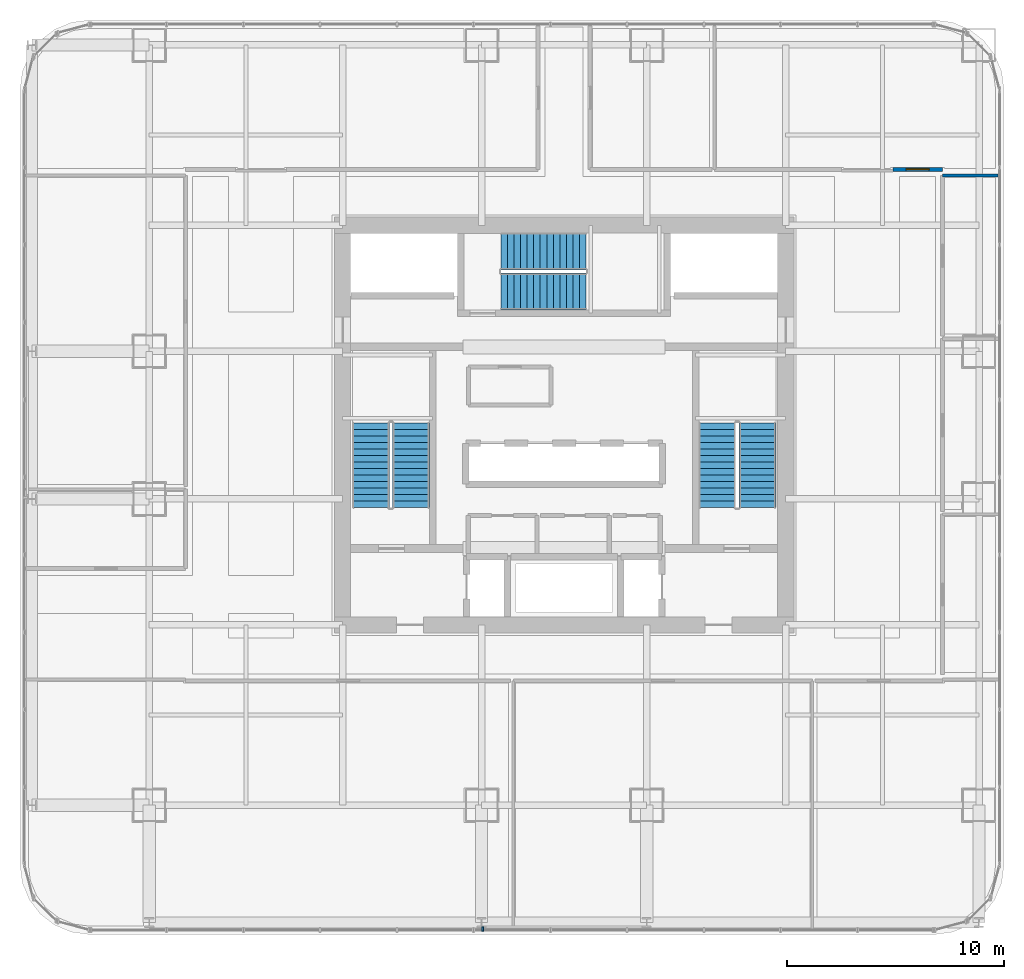
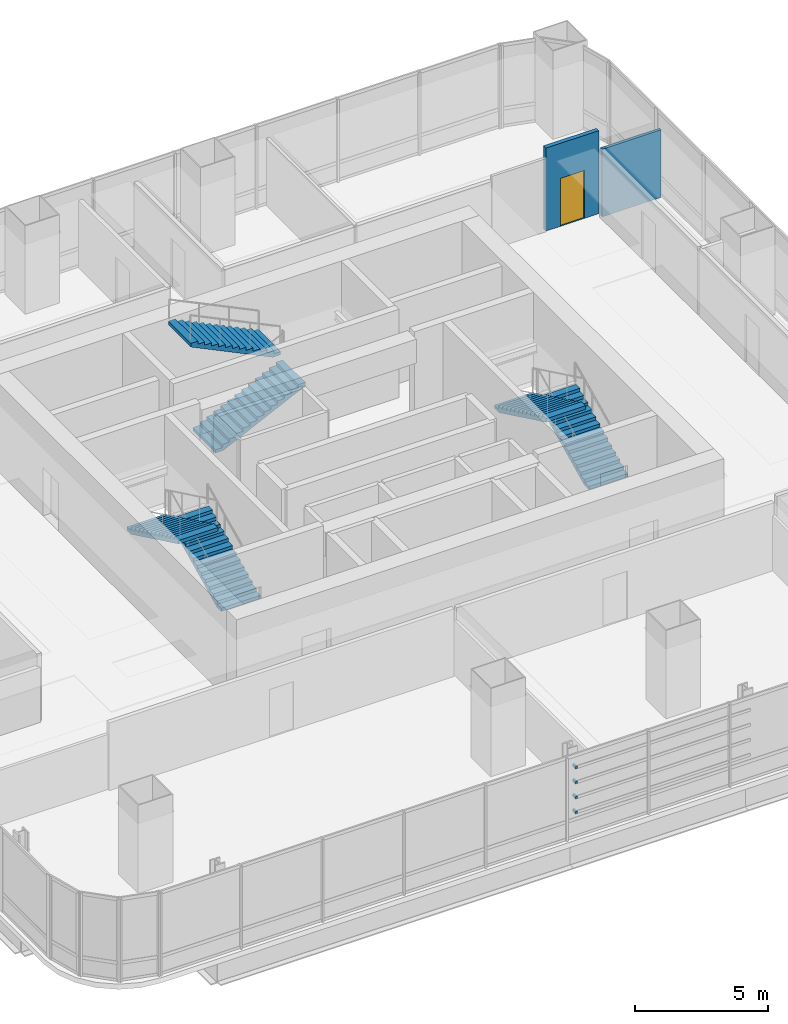
# One storey, part 30 of 36: 6 stair flights, 4 discrete accessories, 2 walls, 1 door, 1 opening, 3 elements without a shape of their own.
"""IFC4 building model written with IfcOpenShell, lengths in metres."""

from ifc_helpers import new_model, si_unit, direction, frame, frame_2d, origin, origin_2d, place, context, subcontext, project, spatial, polyline, rectangle, outline, extrude, material, layer, layer_set, type_object, element, fill, aggregate, save


model = new_model("IFC4")

# Units and contexts
model_context = context("Model", 3, precision=1e-05, world=origin(), true_north=direction((0.0, 1.0)))
body_context = subcontext(model_context, "Body", "Model", "MODEL_VIEW")
ifc_project = project(units=[si_unit("LENGTHUNIT", "METRE"), si_unit("AREAUNIT", "SQUARE_METRE"), si_unit("VOLUMEUNIT", "CUBIC_METRE"), si_unit("PLANEANGLEUNIT", "RADIAN"), si_unit("MASSUNIT", "GRAM", prefix="KILO")], contexts=[model_context])

# Site, building, storey
site_placement = place(None, origin())
site = spatial("IfcSite", under=ifc_project, at=site_placement, CompositionType="ELEMENT")
building_placement = place(site_placement, origin())
building = spatial("IfcBuilding", under=site, at=building_placement, Name="Punatoya Terracotta Tower", CompositionType="ELEMENT")
storey_placement = place(building_placement, frame((0.0, 0.0, 40.35009765625)))
storey = spatial("IfcBuildingStorey", under=building, at=storey_placement, Name="L08", CompositionType="ELEMENT", Elevation=40.35009765625)

# Wall, opening, door
ifc_material_1 = material(Name="Gypsum Fireboard + Steel Stud", Category="steel")
ifc_layer_1 = layer(ifc_material_1, 0.179931640625)
ifc_layer_set_1 = layer_set([ifc_layer_1], Name="Gypsum Fireboard + Steel Stud")
wall_type_1 = type_object("IfcWallType", Name="WL-CORR-180", PredefinedType="PARTITIONING", material=ifc_layer_set_1)
wall_1_placement = place(storey_placement, frame((17.419921875, 11.77001953125, 0.0), z_axis=(0.0, 0.0, 1.0), x_axis=(-1.0, 0.0, 0.0)))
wall_1 = element("IfcWall", 1, at=wall_1_placement, inside=storey, type_object=wall_type_1, Name="L08 Open-Plan Regional Operations Office Partition 34", PredefinedType="PARTITIONING", context=body_context, shape_type="SweptSolid", body=[
    extrude(rectangle(XDim=2.2900390625, YDim=0.179931640625, at=frame_2d((1.14501953125, 0.0))), origin(), (0.0, 0.0, 1.0), 3.809814453125),
])
opening_placement = place(wall_1_placement, frame((0.6201171875, 0.0, 0.0)))
opening = element("IfcOpeningElement", 2, at=opening_placement, cuts=wall_1, Name="Opening OD-01", PredefinedType="OPENING", context=body_context, shape_type="SweptSolid", body=[
    extrude(rectangle(XDim=1.050048828125, YDim=2.199951171875, at=frame_2d((0.52490234375, 1.10009765625))), frame((0.0, 0.099853515625, 0.0), z_axis=(0.0, -1.0, 0.0), x_axis=(1.0, 0.0, 0.0)), (0.0, 0.0, 1.0), 0.199951171875),
])
ifc_material_2 = material(Name="Bengal Teak Solid-Core Leaf")
door_type = type_object("IfcDoorType", Name="DR-OFF-1050", OperationType="NOTDEFINED", PredefinedType="DOOR", material=ifc_material_2)
door_placement = place(opening_placement, origin())
door = element("IfcDoor", 3, at=door_placement, inside=storey, type_object=door_type, Name="L08 Open-Plan Regional Operations Office Door", OperationType="SINGLE_SWING_LEFT", OverallHeight=2.199951171875, OverallWidth=1.050048828125, PredefinedType="DOOR", context=body_context, shape_type="SweptSolid", body=[
    extrude(rectangle(XDim=1.050048828125, YDim=2.199951171875, at=frame_2d((0.52490234375, 1.10009765625))), frame((0.0, 0.02490234375, 0.0), z_axis=(0.0, -1.0, 0.0), x_axis=(1.0, 0.0, 0.0)), (0.0, 0.0, 1.0), 0.050048828125),
])
fill(opening, door)

# Wall
ifc_material_3 = material(Name="Gypsum Partition + Steel Stud", Category="steel")
ifc_layer_2 = layer(ifc_material_3, 0.1201171875)
ifc_layer_set_2 = layer_set([ifc_layer_2], Name="Gypsum Partition + Steel Stud")
wall_type_2 = type_object("IfcWallType", Name="WL-OFF-120", PredefinedType="PARTITIONING", material=ifc_layer_set_2)
wall_2_placement = place(storey_placement, frame((17.419921875, 11.489990234375, 0.0), z_axis=(0.0, 0.0, 1.0), x_axis=(1.0, 0.0, 0.0)))
element("IfcWall", 4, at=wall_2_placement, inside=storey, type_object=wall_type_2, Name="L08 Systems Engineering Office Partition 28", PredefinedType="PARTITIONING", context=body_context, shape_type="SweptSolid", body=[
    extrude(rectangle(XDim=2.550048828125, YDim=0.1201171875, at=frame_2d((1.27490234375, 0.0))), origin(), (0.0, 0.0, 1.0), 3.10400390625),
])

# Stair, stair flights
ifc_material_4 = material(Name="Concrete C40/50", Category="concrete")
stair_type_1 = type_object("IfcStairType", Name="STR-CORE-1550", PredefinedType="HALF_TURN_STAIR", material=ifc_material_4)
stair_1_placement = place(storey_placement, origin())
stair_1 = element("IfcStair", 5, at=stair_1_placement, inside=storey, type_object=stair_type_1, Name="L08 Protected Core Exit Stair ST-1", PredefinedType="HALF_TURN_STAIR")
stair_flight_type_1 = type_object("IfcStairFlightType", Name="SFL-CORE-1550", PredefinedType="STRAIGHT", material=ifc_material_4)
stair_flight_1_placement = place(storey_placement, frame((-7.050048828125, -3.800048828125, 0.0), z_axis=(0.0, 0.0, 1.0), x_axis=(0.0, 1.0, 0.0)))
stair_flight_1 = element("IfcStairFlight", 6, at=stair_flight_1_placement, type_object=stair_flight_type_1, Name="ST-1 flight 1", NumberOfRisers=14, NumberOfTreads=13, PredefinedType="STRAIGHT", RiserHeight=0.144642857, TreadLength=0.3, context=body_context, shape_type="SweptSolid", body=[
    extrude(outline(polyline([(0.0, 0.0), (0.0, 0.14453125), (0.300048828125, 0.14453125), (0.300048828125, 0.289306640625), (0.60009765625, 0.289306640625), (0.60009765625, 0.433837890625), (0.89990234375, 0.433837890625), (0.89990234375, 0.57861328125), (1.199951171875, 0.57861328125), (1.199951171875, 0.72314453125), (1.5, 0.72314453125), (1.5, 0.867919921875), (1.800048828125, 0.867919921875), (1.800048828125, 1.012451171875), (2.10009765625, 1.012451171875), (2.10009765625, 1.1572265625), (2.39990234375, 1.1572265625), (2.39990234375, 1.3017578125), (2.699951171875, 1.3017578125), (2.699951171875, 1.446533203125), (3.0, 1.446533203125), (3.0, 1.591064453125), (3.300048828125, 1.591064453125), (3.300048828125, 1.735595703125), (3.60009765625, 1.735595703125), (3.60009765625, 1.88037109375), (3.89990234375, 1.88037109375), (3.89990234375, 2.02490234375), (3.89990234375, 1.7138671875), (0.34521484375, 0.0), (0.0, 0.0)])), frame((0.0, 0.85009765625, 0.0), z_axis=(0.0, -1.0, 0.0), x_axis=(1.0, 0.0, 0.0)), (0.0, 0.0, 1.0), 1.699951171875),
])
stair_flight_2_placement = place(storey_placement, frame((-8.89990234375, 0.10009765625, 2.02490234375), z_axis=(0.0, 0.0, 1.0), x_axis=(0.0, -1.0, 0.0)))
stair_flight_2 = element("IfcStairFlight", 7, at=stair_flight_2_placement, type_object=stair_flight_type_1, Name="ST-1 flight 2", NumberOfRisers=14, NumberOfTreads=13, PredefinedType="STRAIGHT", RiserHeight=0.144642857, TreadLength=0.3, context=body_context, shape_type="SweptSolid", body=[
    extrude(outline(polyline([(0.0, 0.0), (0.0, 0.14453125), (0.300048828125, 0.14453125), (0.300048828125, 0.289306640625), (0.60009765625, 0.289306640625), (0.60009765625, 0.433837890625), (0.89990234375, 0.433837890625), (0.89990234375, 0.57861328125), (1.199951171875, 0.57861328125), (1.199951171875, 0.72314453125), (1.5, 0.72314453125), (1.5, 0.867919921875), (1.800048828125, 0.867919921875), (1.800048828125, 1.012451171875), (2.10009765625, 1.012451171875), (2.10009765625, 1.1572265625), (2.39990234375, 1.1572265625), (2.39990234375, 1.3017578125), (2.699951171875, 1.3017578125), (2.699951171875, 1.446533203125), (3.0, 1.446533203125), (3.0, 1.591064453125), (3.300048828125, 1.591064453125), (3.300048828125, 1.735595703125), (3.60009765625, 1.735595703125), (3.60009765625, 1.88037109375), (3.89990234375, 1.88037109375), (3.89990234375, 2.02490234375), (3.89990234375, 1.7138671875), (0.34521484375, 0.0), (0.0, 0.0)])), frame((0.0, 0.85009765625, 0.0), z_axis=(0.0, -1.0, 0.0), x_axis=(1.0, 0.0, 0.0)), (0.0, 0.0, 1.0), 1.699951171875),
])
aggregate(stair_1, [stair_flight_1, stair_flight_2])

stair_type_2 = type_object("IfcStairType", Name="STR-LOB-1650", PredefinedType="HALF_TURN_STAIR", material=ifc_material_4)
stair_2_placement = place(storey_placement, origin())
stair_2 = element("IfcStair", 8, at=stair_2_placement, inside=storey, type_object=stair_type_2, Name="L08 Protected Core Exit Stair ST-2", PredefinedType="HALF_TURN_STAIR")
stair_flight_type_2 = type_object("IfcStairFlightType", Name="SFL-LOB-1650", PredefinedType="STRAIGHT", material=ifc_material_4)
stair_flight_3_placement = place(storey_placement, frame((8.89990234375, -3.800048828125, 0.0), z_axis=(0.0, 0.0, 1.0), x_axis=(0.0, 1.0, 0.0)))
stair_flight_3 = element("IfcStairFlight", 9, at=stair_flight_3_placement, type_object=stair_flight_type_2, Name="ST-2 flight 1", NumberOfRisers=14, NumberOfTreads=13, PredefinedType="STRAIGHT", RiserHeight=0.144642857, TreadLength=0.3, context=body_context, shape_type="SweptSolid", body=[
    extrude(outline(polyline([(0.0, 0.0), (0.0, 0.14453125), (0.300048828125, 0.14453125), (0.300048828125, 0.289306640625), (0.60009765625, 0.289306640625), (0.60009765625, 0.433837890625), (0.89990234375, 0.433837890625), (0.89990234375, 0.57861328125), (1.199951171875, 0.57861328125), (1.199951171875, 0.72314453125), (1.5, 0.72314453125), (1.5, 0.867919921875), (1.800048828125, 0.867919921875), (1.800048828125, 1.012451171875), (2.10009765625, 1.012451171875), (2.10009765625, 1.1572265625), (2.39990234375, 1.1572265625), (2.39990234375, 1.3017578125), (2.699951171875, 1.3017578125), (2.699951171875, 1.446533203125), (3.0, 1.446533203125), (3.0, 1.591064453125), (3.300048828125, 1.591064453125), (3.300048828125, 1.735595703125), (3.60009765625, 1.735595703125), (3.60009765625, 1.88037109375), (3.89990234375, 1.88037109375), (3.89990234375, 2.02490234375), (3.89990234375, 1.7138671875), (0.34521484375, 0.0), (0.0, 0.0)])), frame((0.0, 0.85009765625, 0.0), z_axis=(0.0, -1.0, 0.0), x_axis=(1.0, 0.0, 0.0)), (0.0, 0.0, 1.0), 1.699951171875),
])
stair_flight_4_placement = place(storey_placement, frame((7.050048828125, 0.10009765625, 2.02490234375), z_axis=(0.0, 0.0, 1.0), x_axis=(0.0, -1.0, 0.0)))
stair_flight_4 = element("IfcStairFlight", 10, at=stair_flight_4_placement, type_object=stair_flight_type_2, Name="ST-2 flight 2", NumberOfRisers=14, NumberOfTreads=13, PredefinedType="STRAIGHT", RiserHeight=0.144642857, TreadLength=0.3, context=body_context, shape_type="SweptSolid", body=[
    extrude(outline(polyline([(0.0, 0.0), (0.0, 0.14453125), (0.300048828125, 0.14453125), (0.300048828125, 0.289306640625), (0.60009765625, 0.289306640625), (0.60009765625, 0.433837890625), (0.89990234375, 0.433837890625), (0.89990234375, 0.57861328125), (1.199951171875, 0.57861328125), (1.199951171875, 0.72314453125), (1.5, 0.72314453125), (1.5, 0.867919921875), (1.800048828125, 0.867919921875), (1.800048828125, 1.012451171875), (2.10009765625, 1.012451171875), (2.10009765625, 1.1572265625), (2.39990234375, 1.1572265625), (2.39990234375, 1.3017578125), (2.699951171875, 1.3017578125), (2.699951171875, 1.446533203125), (3.0, 1.446533203125), (3.0, 1.591064453125), (3.300048828125, 1.591064453125), (3.300048828125, 1.735595703125), (3.60009765625, 1.735595703125), (3.60009765625, 1.88037109375), (3.89990234375, 1.88037109375), (3.89990234375, 2.02490234375), (3.89990234375, 1.7138671875), (0.34521484375, 0.0), (0.0, 0.0)])), frame((0.0, 0.85009765625, 0.0), z_axis=(0.0, -1.0, 0.0), x_axis=(1.0, 0.0, 0.0)), (0.0, 0.0, 1.0), 1.699951171875),
])
aggregate(stair_2, [stair_flight_3, stair_flight_4])

stair_type_3 = type_object("IfcStairType", Name="STR-TER-1450", PredefinedType="HALF_TURN_STAIR", material=ifc_material_4)
stair_3_placement = place(storey_placement, origin())
stair_3 = element("IfcStair", 11, at=stair_3_placement, inside=storey, type_object=stair_type_3, Name="L08 Protected Core Exit Stair ST-3", PredefinedType="HALF_TURN_STAIR")
stair_flight_type_3 = type_object("IfcStairFlightType", Name="SFL-TER-1450", PredefinedType="STRAIGHT", material=ifc_material_4)
stair_flight_5_placement = place(storey_placement, frame((-2.89990234375, 6.14990234375, 0.0), z_axis=(0.0, 0.0, 1.0), x_axis=(1.0, 0.0, 0.0)))
stair_flight_5 = element("IfcStairFlight", 12, at=stair_flight_5_placement, type_object=stair_flight_type_3, Name="ST-3 flight 1", NumberOfRisers=14, NumberOfTreads=13, PredefinedType="STRAIGHT", RiserHeight=0.144642857, TreadLength=0.3, context=body_context, shape_type="SweptSolid", body=[
    extrude(outline(polyline([(0.0, 0.0), (0.0, 0.14453125), (0.300048828125, 0.14453125), (0.300048828125, 0.289306640625), (0.60009765625, 0.289306640625), (0.60009765625, 0.433837890625), (0.89990234375, 0.433837890625), (0.89990234375, 0.57861328125), (1.199951171875, 0.57861328125), (1.199951171875, 0.72314453125), (1.5, 0.72314453125), (1.5, 0.867919921875), (1.800048828125, 0.867919921875), (1.800048828125, 1.012451171875), (2.10009765625, 1.012451171875), (2.10009765625, 1.1572265625), (2.39990234375, 1.1572265625), (2.39990234375, 1.3017578125), (2.699951171875, 1.3017578125), (2.699951171875, 1.446533203125), (3.0, 1.446533203125), (3.0, 1.591064453125), (3.300048828125, 1.591064453125), (3.300048828125, 1.735595703125), (3.60009765625, 1.735595703125), (3.60009765625, 1.88037109375), (3.89990234375, 1.88037109375), (3.89990234375, 2.02490234375), (3.89990234375, 1.7138671875), (0.34521484375, 0.0), (0.0, 0.0)])), frame((0.0, 0.85009765625, 0.0), z_axis=(0.0, -1.0, 0.0), x_axis=(1.0, 0.0, 0.0)), (0.0, 0.0, 1.0), 1.699951171875),
])
stair_flight_6_placement = place(storey_placement, frame((1.0, 8.0, 2.02490234375), z_axis=(0.0, 0.0, 1.0), x_axis=(-1.0, 0.0, 0.0)))
stair_flight_6 = element("IfcStairFlight", 13, at=stair_flight_6_placement, type_object=stair_flight_type_3, Name="ST-3 flight 2", NumberOfRisers=14, NumberOfTreads=13, PredefinedType="STRAIGHT", RiserHeight=0.144642857, TreadLength=0.3, context=body_context, shape_type="SweptSolid", body=[
    extrude(outline(polyline([(0.0, 0.0), (0.0, 0.14453125), (0.300048828125, 0.14453125), (0.300048828125, 0.289306640625), (0.60009765625, 0.289306640625), (0.60009765625, 0.433837890625), (0.89990234375, 0.433837890625), (0.89990234375, 0.57861328125), (1.199951171875, 0.57861328125), (1.199951171875, 0.72314453125), (1.5, 0.72314453125), (1.5, 0.867919921875), (1.800048828125, 0.867919921875), (1.800048828125, 1.012451171875), (2.10009765625, 1.012451171875), (2.10009765625, 1.1572265625), (2.39990234375, 1.1572265625), (2.39990234375, 1.3017578125), (2.699951171875, 1.3017578125), (2.699951171875, 1.446533203125), (3.0, 1.446533203125), (3.0, 1.591064453125), (3.300048828125, 1.591064453125), (3.300048828125, 1.735595703125), (3.60009765625, 1.735595703125), (3.60009765625, 1.88037109375), (3.89990234375, 1.88037109375), (3.89990234375, 2.02490234375), (3.89990234375, 1.7138671875), (0.34521484375, 0.0), (0.0, 0.0)])), frame((0.0, 0.85009765625, 0.0), z_axis=(0.0, -1.0, 0.0), x_axis=(1.0, 0.0, 0.0)), (0.0, 0.0, 1.0), 1.699951171875),
])
aggregate(stair_3, [stair_flight_5, stair_flight_6])

# Discrete accessories
ifc_material_5 = material(Name="Steel S355", Category="steel")
discrete_accessory_type = type_object("IfcDiscreteAccessoryType", Name="ACC-BRK-220", PredefinedType="BRACKET", material=ifc_material_5)
for number, where, z_axis, x_axis, name in (
    (14, (-3.75, -23.193115234375, 1.099853515625), (0.0, 0.0, 1.0), (1.0, 0.0, 0.0), "L08 Baguette Louvre Column Bracket BAG-L08-S-01"),
    (15, (-3.75, -23.193115234375, 1.78662109375), (0.0, 0.0, 1.0), (1.0, 0.0, 0.0), "L08 Baguette Louvre Column Bracket BAG-L08-S-02"),
    (16, (-3.75, -23.193115234375, 2.47314453125), (0.0, 0.0, 1.0), (1.0, 0.0, 0.0), "L08 Baguette Louvre Column Bracket BAG-L08-S-03"),
    (17, (-3.75, -23.193115234375, 3.159912109375), (0.0, 0.0, 1.0), (1.0, 0.0, 0.0), "L08 Baguette Louvre Column Bracket BAG-L08-S-04"),
):
    element("IfcDiscreteAccessory", number, at=place(storey_placement, frame(where, z_axis=z_axis, x_axis=x_axis)), inside=storey, type_object=discrete_accessory_type, Name=name, PredefinedType="BRACKET", context=body_context, shape_type="SweptSolid", body=[
        extrude(rectangle(XDim=0.090087890625, YDim=0.219970703125, at=origin_2d()), origin(), (0.0, 0.0, 1.0), 0.10009765625),
    ])

save(model, "model.ifc")
